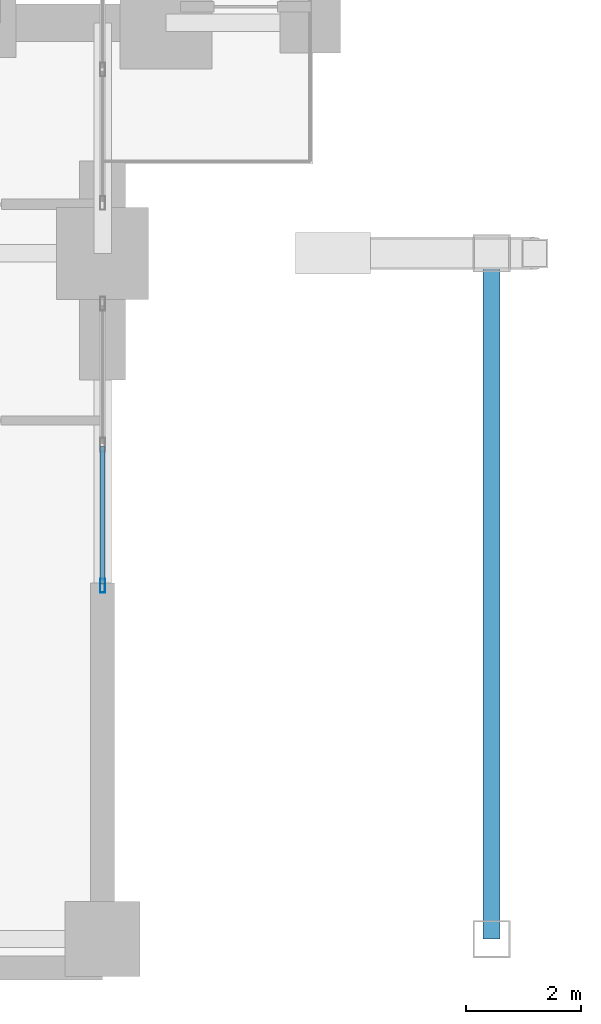
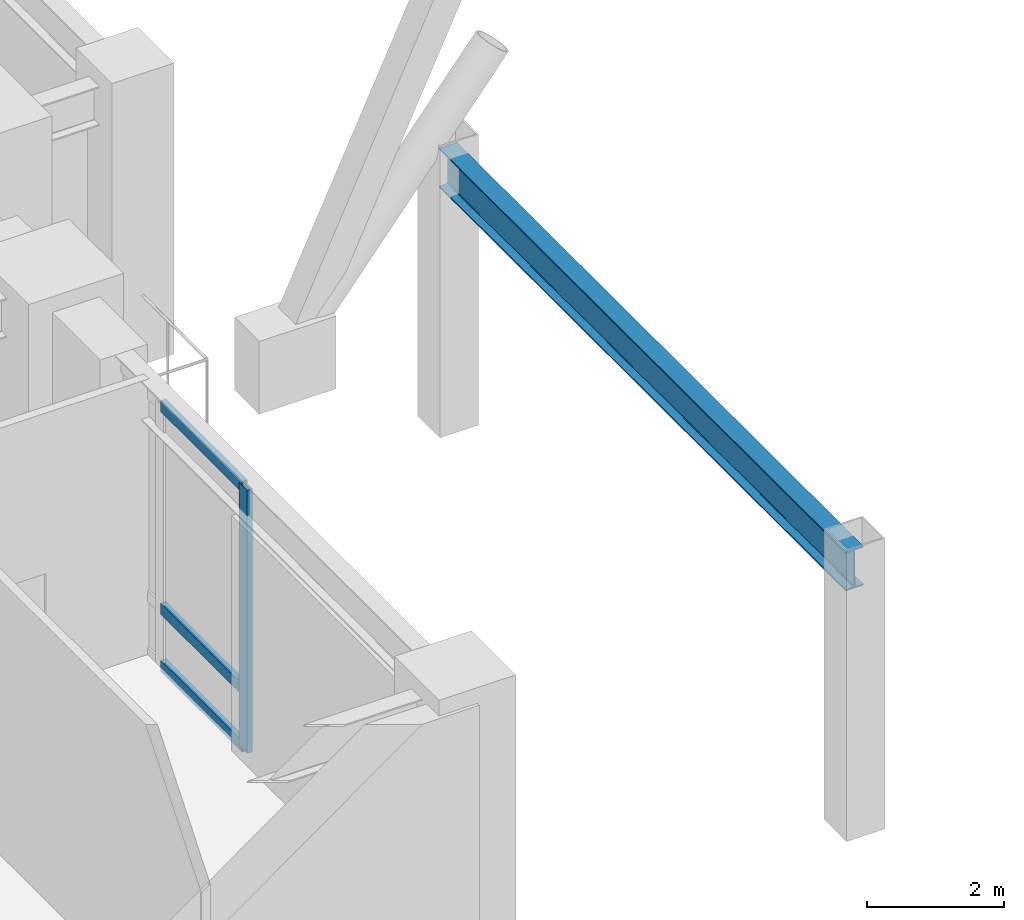
# One storey, part 2 of 26: 4 members, 1 beam, 1 element without a shape of its own.
"""IFC4 building model written with IfcOpenShell, lengths in metres."""

from ifc_helpers import new_model, si_unit, direction, frame, origin, origin_2d, place, context, subcontext, project, spatial, hollow_rectangle, i_section, extrude, material, layer, layer_set, material_profile, profile_set, type_object, element, aggregate, save


model = new_model("IFC4")

# Units and contexts
model_context = context("Model", 3, precision=1e-05, world=origin(), true_north=direction((0.0, 1.0)))
body_context = subcontext(model_context, "Body", "Model", "MODEL_VIEW")
ifc_project = project(units=[si_unit("LENGTHUNIT", "METRE"), si_unit("AREAUNIT", "SQUARE_METRE"), si_unit("VOLUMEUNIT", "CUBIC_METRE"), si_unit("PLANEANGLEUNIT", "RADIAN"), si_unit("MASSUNIT", "GRAM", prefix="KILO")], contexts=[model_context])

# Site, building, storey
site_placement = place(None, origin())
site = spatial("IfcSite", under=ifc_project, at=site_placement, CompositionType="ELEMENT")
building_placement = place(site_placement, origin())
building = spatial("IfcBuilding", under=site, at=building_placement, Name="Voryun Gate Residences", CompositionType="ELEMENT")
storey_placement = place(building_placement, frame((0.0, 0.0, 10.39990234375)))
storey = spatial("IfcBuildingStorey", under=building, at=storey_placement, Name="L02", CompositionType="ELEMENT", Elevation=10.39990234375)

# Beam
ifc_material_1 = material(Name="Steel SM355", Category="steel")
ifc_material_profile_1 = material_profile(ifc_material_1, i_section(OverallWidth=0.300048828125, OverallDepth=0.699951171875, WebThickness=0.012939453125, FlangeThickness=0.02392578125, FilletRadius=0.01806640625, at=origin_2d()), Name="H-700x300x13x24")
ifc_profile_set_1 = profile_set([ifc_material_profile_1], Name="Steel SM355")
beam_type = type_object("IfcBeamType", Name="BM_GIRD_700", PredefinedType="USERDEFINED", material=ifc_profile_set_1)
beam_placement = place(storey_placement, frame((-6.75, -23.300048828125, 4.570068359375), z_axis=(0.0, 1.0, 0.0), x_axis=(-1.0, 0.0, 0.0)))
element("IfcBeam", 1, at=beam_placement, inside=storey, type_object=beam_type, Name="BM-L02-APY-S--6.75", ObjectType="GIRDER", PredefinedType="USERDEFINED", context=body_context, shape_type="SweptSolid", body=[
    extrude(i_section(OverallWidth=0.300048828125, OverallDepth=0.699951171875, WebThickness=0.012939453125, FlangeThickness=0.02392578125, FilletRadius=0.01806640625, at=origin_2d()), origin(), (0.0, 0.0, 1.0), 11.900146484375),
])

# Curtain wall, members
ifc_material_2 = material(Name="Anodised aluminium", Category="aluminium")
ifc_layer = layer(ifc_material_2, 0.239990234375, Name="CW_SYS_ARCH_DARK_GLASS")
ifc_layer_set = layer_set([ifc_layer], Name="Anodised aluminium")
curtain_wall_type = type_object("IfcCurtainWallType", Name="CW_SYS_ARCH_DARK_GLASS", PredefinedType="NOTDEFINED", material=ifc_layer_set)
curtain_wall_placement = place(storey_placement, origin())
curtain_wall = element("IfcCurtainWall", 2, at=curtain_wall_placement, inside=storey, type_object=curtain_wall_type, Name="Curtain wall CW2-L02-WP-S", PredefinedType="NOTDEFINED")
ifc_material_3 = material(Name="Anodised aluminium", Category="aluminium")
ifc_material_profile_2 = material_profile(ifc_material_3, hollow_rectangle(XDim=0.090087890625, YDim=0.239990234375, WallThickness=0.006103515625, at=origin_2d()), Name="ALU-MULL-240x90x6")
ifc_profile_set_2 = profile_set([ifc_material_profile_2], Name="Anodised aluminium")
member_type_1 = type_object("IfcMemberType", Name="CW_MULL_ARCH", PredefinedType="MULLION", material=ifc_profile_set_2)
member_1_placement = place(storey_placement, frame((-13.5, -17.169921875, 0.0), z_axis=(0.0, 0.0, 1.0), x_axis=(-1.0, 0.0, 0.0)))
member_1 = element("IfcMember", 3, at=member_1_placement, type_object=member_type_1, Name="CW2 mullion 1", PredefinedType="MULLION", context=body_context, shape_type="SweptSolid", body=[
    extrude(hollow_rectangle(XDim=0.090087890625, YDim=0.239990234375, WallThickness=0.006103515625, at=origin_2d()), origin(), (0.0, 0.0, 1.0), 4.7001953125),
])
ifc_material_4 = material(Name="Anodised aluminium", Category="aluminium")
ifc_material_profile_3 = material_profile(ifc_material_4, hollow_rectangle(XDim=0.090087890625, YDim=0.199951171875, WallThickness=0.006103515625, at=origin_2d()), Name="ALU-TRAN-200x90x6")
ifc_profile_set_3 = profile_set([ifc_material_profile_3], Name="Anodised aluminium")
member_type_2 = type_object("IfcMemberType", Name="CW_TRAN_ARCH", PredefinedType="USERDEFINED", material=ifc_profile_set_3)
member_2_placement = place(storey_placement, frame((-13.5, -17.139892578125, 0.030029296875), z_axis=(0.0, 1.0, 0.0), x_axis=(-1.0, 0.0, 0.0)))
member_2 = element("IfcMember", 4, at=member_2_placement, type_object=member_type_2, Name="CW2 transom 1.1", ObjectType="TRANSOM", PredefinedType="USERDEFINED", context=body_context, shape_type="SweptSolid", body=[
    extrude(hollow_rectangle(XDim=0.090087890625, YDim=0.199951171875, WallThickness=0.006103515625, at=origin_2d()), origin(), (0.0, 0.0, 1.0), 2.387451171875),
])
member_3_placement = place(storey_placement, frame((-13.5, -17.139892578125, 1.050048828125), z_axis=(0.0, 1.0, 0.0), x_axis=(-1.0, 0.0, 0.0)))
member_3 = element("IfcMember", 5, at=member_3_placement, type_object=member_type_2, Name="CW2 transom 1.2", ObjectType="TRANSOM", PredefinedType="USERDEFINED", context=body_context, shape_type="SweptSolid", body=[
    extrude(hollow_rectangle(XDim=0.090087890625, YDim=0.199951171875, WallThickness=0.006103515625, at=origin_2d()), origin(), (0.0, 0.0, 1.0), 2.387451171875),
])
member_4_placement = place(storey_placement, frame((-13.5, -17.139892578125, 4.670166015625), z_axis=(0.0, 1.0, 0.0), x_axis=(-1.0, 0.0, 0.0)))
member_4 = element("IfcMember", 6, at=member_4_placement, type_object=member_type_2, Name="CW2 transom 1.3", ObjectType="TRANSOM", PredefinedType="USERDEFINED", context=body_context, shape_type="SweptSolid", body=[
    extrude(hollow_rectangle(XDim=0.090087890625, YDim=0.199951171875, WallThickness=0.006103515625, at=origin_2d()), origin(), (0.0, 0.0, 1.0), 2.387451171875),
])
aggregate(curtain_wall, [member_1, member_2, member_3, member_4])

save(model, "model.ifc")
